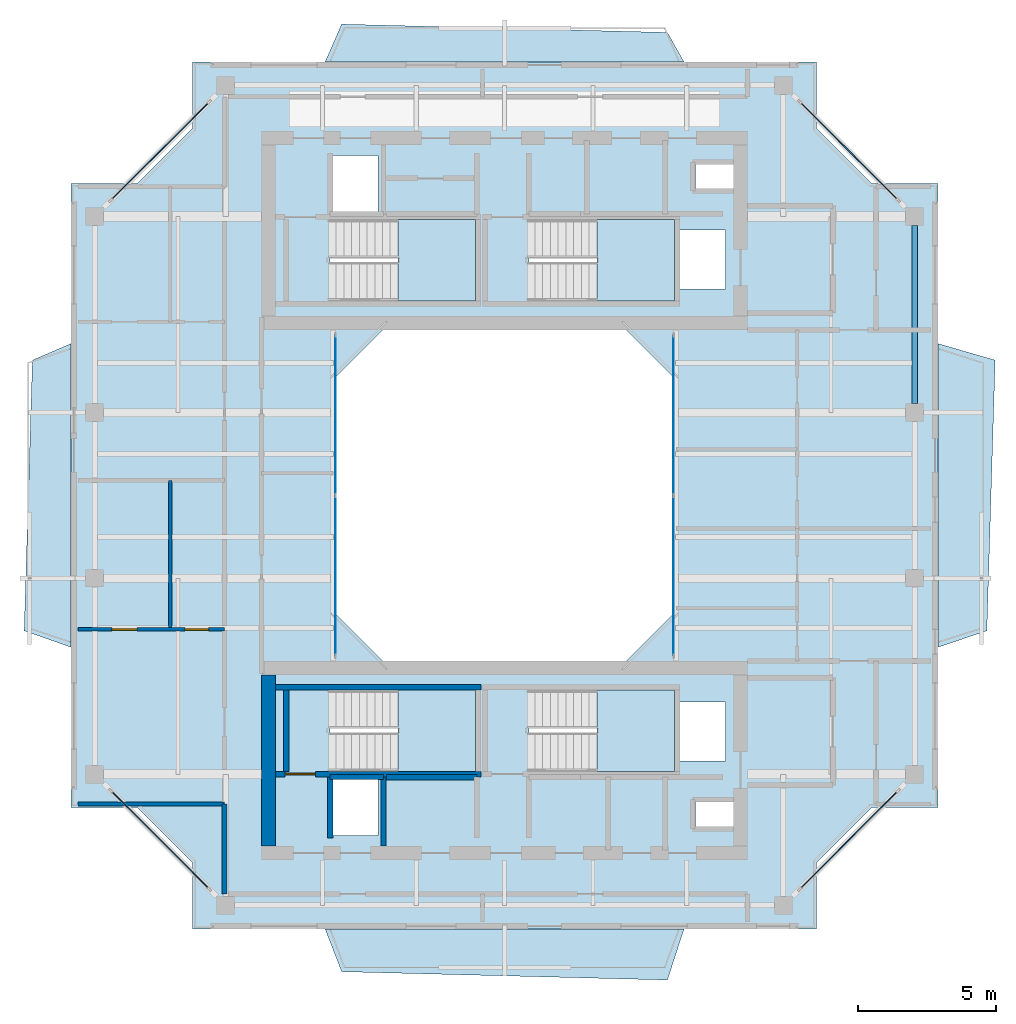
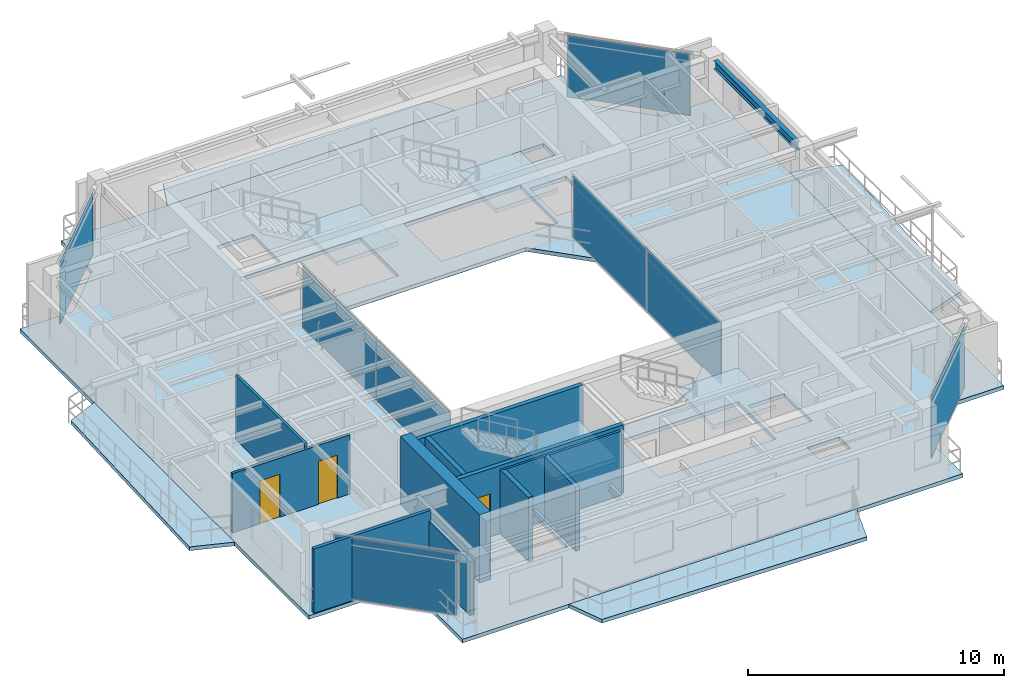
# One storey, part 8 of 15: 12 walls, 9 slabs, 8 plates, 3 doors, 1 beam, 3 openings, 10 elements without a shape of their own.
"""IFC4 building model written with IfcOpenShell, lengths in metres."""

from ifc_helpers import new_model, si_unit, direction, frame, frame_2d, origin, origin_2d, place, context, subcontext, project, spatial, polyline, rectangle, i_section, outline, extrude, source, transform, mapped, material, layer, layer_set, material_profile, profile_set, type_object, element, fill, aggregate, save


model = new_model("IFC4")

# Units and contexts
model_context = context("Model", 3, precision=1e-05, world=origin(), true_north=direction((0.0, 1.0)))
body_context = subcontext(model_context, "Body", "Model", "MODEL_VIEW")
ifc_project = project(units=[si_unit("LENGTHUNIT", "METRE"), si_unit("AREAUNIT", "SQUARE_METRE"), si_unit("VOLUMEUNIT", "CUBIC_METRE"), si_unit("PLANEANGLEUNIT", "RADIAN"), si_unit("MASSUNIT", "GRAM", prefix="KILO"), si_unit("THERMODYNAMICTEMPERATUREUNIT", "KELVIN"), si_unit("POWERUNIT", "WATT")], contexts=[model_context])

# Site, building, storey
site_placement = place(None, origin())
site = spatial("IfcSite", under=ifc_project, at=site_placement, CompositionType="ELEMENT")
building_placement = place(site_placement, origin())
building = spatial("IfcBuilding", under=site, at=building_placement, Name="Qiaomeng Ring Towers", CompositionType="ELEMENT")
storey_placement = place(building_placement, frame((0.0, 0.0, 250.25)))
storey = spatial("IfcBuildingStorey", under=building, at=storey_placement, Name="L73", CompositionType="ELEMENT", Elevation=250.25)

# Beam
ifc_material_1 = material(Name="Steel Q355B", Category="steel")
ifc_material_profile = material_profile(ifc_material_1, i_section(OverallWidth=0.198974609375, OverallDepth=0.39599609375, WebThickness=0.007080078125, FlangeThickness=0.010986328125, FilletRadius=0.01611328125, at=origin_2d()), Name="HN 396x199x7x11")
ifc_profile_set = profile_set([ifc_material_profile], Name="Steel Q355B")
beam_type = type_object("IfcBeamType", Name="STR-BM-HN396", PredefinedType="SPANDREL", material=ifc_profile_set)
shared_shape_1 = source(origin(), body_context, "Body", "SweptSolid", [
    extrude(i_section(OverallWidth=0.198974609375, OverallDepth=0.39599609375, WebThickness=0.007080078125, FlangeThickness=0.010986328125, FilletRadius=0.01611328125, at=origin_2d()), origin(), (0.0, 0.0, 1.0), 6.451904296875),
])
beam_placement = place(storey_placement, frame((33.85009765625, 26.323974609375, 2.8720703125), z_axis=(0.0, 1.0, 0.0), x_axis=(-1.0, 0.0, 0.0)))
element("IfcBeam", 1, at=beam_placement, inside=storey, type_object=beam_type, Name="L73 beam STR-SP-L73-T1-E3-E4", PredefinedType="SPANDREL", context=body_context, shape_type="MappedRepresentation", body=[
    mapped(shared_shape_1, transform((0.0, 0.0, 0.0), x_axis=(1.0, 0.0, 0.0), y_axis=(0.0, 1.0, 0.0), z_axis=(0.0, 0.0, 1.0), scale=1.0)),
])

# Slabs
ifc_material_2 = material(Name="Concrete C40", Category="concrete")
ifc_layer_1 = layer(ifc_material_2, 0.179931640625, Name="Concrete C40")
ifc_layer_set_1 = layer_set([ifc_layer_1], Name="Concrete C40")
slab_type_1 = type_object("IfcSlabType", Name="STR-SL-180", PredefinedType="FLOOR", material=ifc_layer_set_1)
slab_1_placement = place(storey_placement, frame((0.0, 0.0, -0.179931640625)))
element("IfcSlab", 2, at=slab_1_placement, inside=storey, type_object=slab_type_1, Name="L73 Tower 1 Annular Floor Slab", PredefinedType="FLOOR", context=body_context, shape_type="SweptSolid", body=[
    extrude(outline(polyline([(7.699951171875, 7.300048828125), (30.300048828125, 7.300048828125), (30.300048828125, 9.699951171875), (32.300048828125, 11.699951171875), (34.699951171875, 11.699951171875), (34.699951171875, 34.300048828125), (32.300048828125, 34.300048828125), (30.300048828125, 36.300048828125), (30.300048828125, 38.699951171875), (7.699951171875, 38.699951171875), (7.699951171875, 36.300048828125), (5.699951171875, 34.300048828125), (3.300048828125, 34.300048828125), (3.300048828125, 11.699951171875), (5.699951171875, 11.699951171875), (7.699951171875, 9.699951171875), (7.699951171875, 7.300048828125)]), holes=[polyline([(12.780029296875, 10.679931640625), (12.780029296875, 12.820068359375), (14.419921875, 12.820068359375), (14.419921875, 10.679931640625), (12.780029296875, 10.679931640625)]), polyline([(12.679931640625, 13.010009765625), (12.679931640625, 15.949951171875), (17.949951171875, 15.949951171875), (17.949951171875, 13.010009765625), (12.679931640625, 13.010009765625)]), polyline([(23.199951171875, 29.199951171875), (25.199951171875, 27.199951171875), (25.199951171875, 18.800048828125), (23.199951171875, 16.800048828125), (14.800048828125, 16.800048828125), (12.800048828125, 18.800048828125), (12.800048828125, 27.199951171875), (14.800048828125, 29.199951171875), (23.199951171875, 29.199951171875)]), polyline([(12.679931640625, 32.989990234375), (17.949951171875, 32.989990234375), (17.949951171875, 30.050048828125), (12.679931640625, 30.050048828125), (12.679931640625, 32.989990234375)]), polyline([(19.8798828125, 32.989990234375), (25.14990234375, 32.989990234375), (25.14990234375, 30.050048828125), (19.8798828125, 30.050048828125), (19.8798828125, 32.989990234375)]), polyline([(12.780029296875, 33.179931640625), (12.780029296875, 35.320068359375), (14.419921875, 35.320068359375), (14.419921875, 33.179931640625), (12.780029296875, 33.179931640625)]), polyline([(25.919921875, 11.89990234375), (27.360107421875, 11.89990234375), (27.360107421875, 11.0), (25.919921875, 11.0), (25.919921875, 11.89990234375)]), polyline([(25.360107421875, 15.52001953125), (27.0, 15.52001953125), (27.0, 13.3798828125), (25.360107421875, 13.3798828125), (25.360107421875, 15.52001953125)]), polyline([(19.8798828125, 13.010009765625), (19.8798828125, 15.949951171875), (25.14990234375, 15.949951171875), (25.14990234375, 13.010009765625), (19.8798828125, 13.010009765625)]), polyline([(25.360107421875, 32.6201171875), (27.0, 32.6201171875), (27.0, 30.47998046875), (25.360107421875, 30.47998046875), (25.360107421875, 32.6201171875)]), polyline([(25.919921875, 35.0), (27.360107421875, 35.0), (27.360107421875, 34.10009765625), (25.919921875, 34.10009765625), (25.919921875, 35.0)])]), origin(), (0.0, 0.0, 1.0), 0.179931640625),
])
ifc_layer_2 = layer(ifc_material_2, 0.179931640625, Name="Concrete C40")
ifc_layer_set_2 = layer_set([ifc_layer_2], Name="Concrete C40")
slab_type_2 = type_object("IfcSlabType", Name="STR-SL-BAL", PredefinedType="FLOOR", material=ifc_layer_set_2)
slab_2_placement = place(storey_placement, frame((0.0, 0.0, -0.179931640625)))
element("IfcSlab", 3, at=slab_2_placement, inside=storey, type_object=slab_type_2, Name="L73 Tower 1 S Faceted Balcony Slab", PredefinedType="FLOOR", context=body_context, shape_type="SweptSolid", body=[
    extrude(outline(polyline([(24.89990234375, 5.449951171875), (13.10009765625, 5.75), (12.5, 7.300048828125), (25.5, 7.300048828125), (24.89990234375, 5.449951171875)])), origin(), (0.0, 0.0, 1.0), 0.179931640625),
])
slab_3_placement = place(storey_placement, frame((0.0, 0.0, -0.179931640625)))
element("IfcSlab", 4, at=slab_3_placement, inside=storey, type_object=slab_type_2, Name="L73 Tower 1 E Faceted Balcony Slab", PredefinedType="FLOOR", context=body_context, shape_type="SweptSolid", body=[
    extrude(outline(polyline([(36.77001953125, 27.89990234375), (36.469970703125, 18.10009765625), (34.699951171875, 17.5), (34.699951171875, 28.5), (36.77001953125, 27.89990234375)])), origin(), (0.0, 0.0, 1.0), 0.179931640625),
])
slab_4_placement = place(storey_placement, frame((0.0, 0.0, -0.179931640625)))
element("IfcSlab", 5, at=slab_4_placement, inside=storey, type_object=slab_type_2, Name="L73 Tower 1 N Faceted Balcony Slab", PredefinedType="FLOOR", context=body_context, shape_type="SweptSolid", body=[
    extrude(outline(polyline([(12.5, 38.699951171875), (13.10009765625, 40.070068359375), (24.89990234375, 39.77001953125), (25.5, 38.699951171875), (12.5, 38.699951171875)])), origin(), (0.0, 0.0, 1.0), 0.179931640625),
])
slab_5_placement = place(storey_placement, frame((0.0, 0.0, -0.179931640625)))
element("IfcSlab", 6, at=slab_5_placement, inside=storey, type_object=slab_type_2, Name="L73 Tower 1 W Faceted Balcony Slab", PredefinedType="FLOOR", context=body_context, shape_type="SweptSolid", body=[
    extrude(outline(polyline([(1.60009765625, 18.10009765625), (1.89990234375, 27.89990234375), (3.300048828125, 28.5), (3.300048828125, 17.5), (1.60009765625, 18.10009765625)])), origin(), (0.0, 0.0, 1.0), 0.179931640625),
])

# Stair, slab
ifc_material_3 = material(Name="Precast concrete C40", Category="concrete")
stair_type = type_object("IfcStairType", Name="ARC-ST-325", PredefinedType="HALF_TURN_STAIR", material=ifc_material_3)
stair_1_placement = place(storey_placement, origin())
stair_1 = element("IfcStair", 7, at=stair_1_placement, inside=storey, type_object=stair_type, Name="L73 Tower 1 North Stair 1", PredefinedType="HALF_TURN_STAIR")
ifc_layer_3 = layer(ifc_material_2, 0.199951171875, Name="Concrete C40")
ifc_layer_set_3 = layer_set([ifc_layer_3], Name="Concrete C40")
slab_type_3 = type_object("IfcSlabType", Name="STR-SL-LANDING", PredefinedType="LANDING", material=ifc_layer_set_3)
slab_6_placement = place(storey_placement, frame((0.0, 0.0, 1.425048828125)))
slab_6 = element("IfcSlab", 8, at=slab_6_placement, type_object=slab_type_3, Name="ST1 landing 1", PredefinedType="LANDING", context=body_context, shape_type="SweptSolid", body=[
    extrude(outline(polyline([(15.139892578125, 30.050048828125), (17.949951171875, 30.050048828125), (17.949951171875, 32.989990234375), (15.139892578125, 32.989990234375), (15.139892578125, 30.050048828125)])), origin(), (0.0, 0.0, 1.0), 0.199951171875),
])
aggregate(stair_1, [slab_6])

stair_2_placement = place(storey_placement, origin())
stair_2 = element("IfcStair", 9, at=stair_2_placement, inside=storey, type_object=stair_type, Name="L73 Tower 1 North Stair 2", PredefinedType="HALF_TURN_STAIR")
slab_7_placement = place(storey_placement, frame((0.0, 0.0, 1.425048828125)))
slab_7 = element("IfcSlab", 10, at=slab_7_placement, type_object=slab_type_3, Name="ST2 landing 1", PredefinedType="LANDING", context=body_context, shape_type="SweptSolid", body=[
    extrude(outline(polyline([(22.340087890625, 30.050048828125), (25.14990234375, 30.050048828125), (25.14990234375, 32.989990234375), (22.340087890625, 32.989990234375), (22.340087890625, 30.050048828125)])), origin(), (0.0, 0.0, 1.0), 0.199951171875),
])
aggregate(stair_2, [slab_7])

stair_3_placement = place(storey_placement, origin())
stair_3 = element("IfcStair", 11, at=stair_3_placement, inside=storey, type_object=stair_type, Name="L73 Tower 1 South Stair 3", PredefinedType="HALF_TURN_STAIR")
slab_8_placement = place(storey_placement, frame((0.0, 0.0, 1.425048828125)))
slab_8 = element("IfcSlab", 12, at=slab_8_placement, type_object=slab_type_3, Name="ST3 landing 1", PredefinedType="LANDING", context=body_context, shape_type="SweptSolid", body=[
    extrude(outline(polyline([(15.139892578125, 13.010009765625), (17.949951171875, 13.010009765625), (17.949951171875, 15.949951171875), (15.139892578125, 15.949951171875), (15.139892578125, 13.010009765625)])), origin(), (0.0, 0.0, 1.0), 0.199951171875),
])
aggregate(stair_3, [slab_8])

stair_4_placement = place(storey_placement, origin())
stair_4 = element("IfcStair", 13, at=stair_4_placement, inside=storey, type_object=stair_type, Name="L73 Tower 1 South Stair 4", PredefinedType="HALF_TURN_STAIR")
slab_9_placement = place(storey_placement, frame((0.0, 0.0, 1.425048828125)))
slab_9 = element("IfcSlab", 14, at=slab_9_placement, type_object=slab_type_3, Name="ST4 landing 1", PredefinedType="LANDING", context=body_context, shape_type="SweptSolid", body=[
    extrude(outline(polyline([(22.340087890625, 13.010009765625), (25.14990234375, 13.010009765625), (25.14990234375, 15.949951171875), (22.340087890625, 15.949951171875), (22.340087890625, 13.010009765625)])), origin(), (0.0, 0.0, 1.0), 0.199951171875),
])
aggregate(stair_4, [slab_9])

# Curtain wall, plates
ifc_material_4 = material(Name="Fluorocarbon dark-grey aluminium", Category="aluminium")
ifc_layer_4 = layer(ifc_material_4, 0.139892578125, Name="Fluorocarbon dark-grey aluminium")
ifc_layer_set_4 = layer_set([ifc_layer_4], Name="Fluorocarbon dark-grey aluminium")
curtain_wall_type_1 = type_object("IfcCurtainWallType", Name="ARC-CW-4", PredefinedType="NOTDEFINED", material=ifc_layer_set_4)
curtain_wall_1_placement = place(storey_placement, origin())
curtain_wall_1 = element("IfcCurtainWall", 15, at=curtain_wall_1_placement, inside=storey, type_object=curtain_wall_type_1, Name="L73 Curtain Wall CW4", PredefinedType="NOTDEFINED")
ifc_material_5 = material(Name="Low-E dark-grey laminated double glazing", Category="glass")
ifc_layer_5 = layer(ifc_material_5, 0.028076171875, Name="Low-E dark-grey laminated double glazing")
ifc_layer_set_5 = layer_set([ifc_layer_5], Name="Low-E dark-grey laminated double glazing")
plate_type = type_object("IfcPlateType", Name="ARC-CWP-DARK", PredefinedType="CURTAIN_PANEL", material=ifc_layer_set_5)
shared_shape_2 = source(origin(), body_context, "Body", "SweptSolid", [
    extrude(rectangle(XDim=5.75244140625, YDim=0.028076171875, at=origin_2d()), origin(), (0.0, 0.0, 1.0), 2.93994140625),
])
plate_1_placement = place(storey_placement, frame((12.8798828125, 20.09130859375, 0.06494140625), z_axis=(0.0, 0.0, 1.0), x_axis=(0.0, 1.0, 0.0)))
plate_1 = element("IfcPlate", 16, at=plate_1_placement, type_object=plate_type, Name="CW4 panel 1.1", PredefinedType="CURTAIN_PANEL", context=body_context, shape_type="MappedRepresentation", body=[
    mapped(shared_shape_2, transform((0.0, 0.0, 0.0), x_axis=(1.0, 0.0, 0.0), y_axis=(0.0, 1.0, 0.0), z_axis=(0.0, 0.0, 1.0), scale=1.0)),
])
plate_2_placement = place(storey_placement, frame((12.8798828125, 25.90869140625, 0.06494140625), z_axis=(0.0, 0.0, 1.0), x_axis=(0.0, 1.0, 0.0)))
plate_2 = element("IfcPlate", 17, at=plate_2_placement, type_object=plate_type, Name="CW4 panel 2.1", PredefinedType="CURTAIN_PANEL", context=body_context, shape_type="MappedRepresentation", body=[
    mapped(shared_shape_2, transform((0.0, 0.0, 0.0), x_axis=(1.0, 0.0, 0.0), y_axis=(0.0, 1.0, 0.0), z_axis=(0.0, 0.0, 1.0), scale=1.0)),
])
aggregate(curtain_wall_1, [plate_1, plate_2])

curtain_wall_2_placement = place(storey_placement, origin())
curtain_wall_2 = element("IfcCurtainWall", 18, at=curtain_wall_2_placement, inside=storey, type_object=curtain_wall_type_1, Name="L73 Curtain Wall CW4", PredefinedType="NOTDEFINED")
plate_3_placement = place(storey_placement, frame((25.1201171875, 20.09130859375, 0.06494140625), z_axis=(0.0, 0.0, 1.0), x_axis=(0.0, 1.0, 0.0)))
plate_3 = element("IfcPlate", 19, at=plate_3_placement, type_object=plate_type, Name="CW4 panel 1.1", PredefinedType="CURTAIN_PANEL", context=body_context, shape_type="MappedRepresentation", body=[
    mapped(shared_shape_2, transform((0.0, 0.0, 0.0), x_axis=(1.0, 0.0, 0.0), y_axis=(0.0, 1.0, 0.0), z_axis=(0.0, 0.0, 1.0), scale=1.0)),
])
plate_4_placement = place(storey_placement, frame((25.1201171875, 25.90869140625, 0.06494140625), z_axis=(0.0, 0.0, 1.0), x_axis=(0.0, 1.0, 0.0)))
plate_4 = element("IfcPlate", 20, at=plate_4_placement, type_object=plate_type, Name="CW4 panel 2.1", PredefinedType="CURTAIN_PANEL", context=body_context, shape_type="MappedRepresentation", body=[
    mapped(shared_shape_2, transform((0.0, 0.0, 0.0), x_axis=(1.0, 0.0, 0.0), y_axis=(0.0, 1.0, 0.0), z_axis=(0.0, 0.0, 1.0), scale=1.0)),
])
aggregate(curtain_wall_2, [plate_3, plate_4])

# Curtain wall, plate
ifc_layer_6 = layer(ifc_material_4, 0.14990234375, Name="Fluorocarbon dark-grey aluminium")
ifc_layer_set_6 = layer_set([ifc_layer_6], Name="Fluorocarbon dark-grey aluminium")
curtain_wall_type_2 = type_object("IfcCurtainWallType", Name="ARC-CW-3", PredefinedType="NOTDEFINED", material=ifc_layer_set_6)
curtain_wall_3_placement = place(storey_placement, origin())
curtain_wall_3 = element("IfcCurtainWall", 21, at=curtain_wall_3_placement, inside=storey, type_object=curtain_wall_type_2, Name="L73 Curtain Wall CW3", PredefinedType="NOTDEFINED")
shared_shape_3 = source(origin(), body_context, "Body", "SweptSolid", [
    extrude(rectangle(XDim=4.9794921875, YDim=0.028076171875, at=origin_2d()), origin(), (0.0, 0.0, 1.0), 2.93994140625),
])
plate_5_placement = place(storey_placement, frame((31.47509765625, 10.52490234375, 0.06494140625), z_axis=(0.0, 0.0, 1.0), x_axis=(0.707106781187, 0.707106781187, 0.0)))
plate_5 = element("IfcPlate", 22, at=plate_5_placement, type_object=plate_type, Name="CW3 panel 1.1", PredefinedType="CURTAIN_PANEL", context=body_context, shape_type="MappedRepresentation", body=[
    mapped(shared_shape_3, transform((0.0, 0.0, 0.0), x_axis=(1.0, 0.0, 0.0), y_axis=(0.0, 1.0, 0.0), z_axis=(0.0, 0.0, 1.0), scale=1.0)),
])
aggregate(curtain_wall_3, [plate_5])

curtain_wall_4_placement = place(storey_placement, origin())
curtain_wall_4 = element("IfcCurtainWall", 23, at=curtain_wall_4_placement, inside=storey, type_object=curtain_wall_type_2, Name="L73 Curtain Wall CW3", PredefinedType="NOTDEFINED")
plate_6_placement = place(storey_placement, frame((31.47509765625, 35.47509765625, 0.06494140625), z_axis=(0.0, 0.0, 1.0), x_axis=(-0.707106781187, 0.707106781187, 0.0)))
plate_6 = element("IfcPlate", 24, at=plate_6_placement, type_object=plate_type, Name="CW3 panel 1.1", PredefinedType="CURTAIN_PANEL", context=body_context, shape_type="MappedRepresentation", body=[
    mapped(shared_shape_3, transform((0.0, 0.0, 0.0), x_axis=(1.0, 0.0, 0.0), y_axis=(0.0, 1.0, 0.0), z_axis=(0.0, 0.0, 1.0), scale=1.0)),
])
aggregate(curtain_wall_4, [plate_6])

curtain_wall_5_placement = place(storey_placement, origin())
curtain_wall_5 = element("IfcCurtainWall", 25, at=curtain_wall_5_placement, inside=storey, type_object=curtain_wall_type_2, Name="L73 Curtain Wall CW3", PredefinedType="NOTDEFINED")
plate_7_placement = place(storey_placement, frame((6.52490234375, 35.47509765625, 0.06494140625), z_axis=(0.0, 0.0, 1.0), x_axis=(-0.707106781187, -0.707106781187, 0.0)))
plate_7 = element("IfcPlate", 26, at=plate_7_placement, type_object=plate_type, Name="CW3 panel 1.1", PredefinedType="CURTAIN_PANEL", context=body_context, shape_type="MappedRepresentation", body=[
    mapped(shared_shape_3, transform((0.0, 0.0, 0.0), x_axis=(1.0, 0.0, 0.0), y_axis=(0.0, 1.0, 0.0), z_axis=(0.0, 0.0, 1.0), scale=1.0)),
])
aggregate(curtain_wall_5, [plate_7])

curtain_wall_6_placement = place(storey_placement, origin())
curtain_wall_6 = element("IfcCurtainWall", 27, at=curtain_wall_6_placement, inside=storey, type_object=curtain_wall_type_2, Name="L73 Curtain Wall CW3", PredefinedType="NOTDEFINED")
plate_8_placement = place(storey_placement, frame((6.52490234375, 10.52490234375, 0.06494140625), z_axis=(0.0, 0.0, 1.0), x_axis=(0.707106781187, -0.707106781187, 0.0)))
plate_8 = element("IfcPlate", 28, at=plate_8_placement, type_object=plate_type, Name="CW3 panel 1.1", PredefinedType="CURTAIN_PANEL", context=body_context, shape_type="MappedRepresentation", body=[
    mapped(shared_shape_3, transform((0.0, 0.0, 0.0), x_axis=(1.0, 0.0, 0.0), y_axis=(0.0, 1.0, 0.0), z_axis=(0.0, 0.0, 1.0), scale=1.0)),
])
aggregate(curtain_wall_6, [plate_8])

# Walls
ifc_material_6 = material(Name="Autoclaved aerated concrete block", Category="concrete")
ifc_layer_7 = layer(ifc_material_6, 0.199951171875, Name="Autoclaved aerated concrete block")
ifc_layer_set_7 = layer_set([ifc_layer_7], Name="Autoclaved aerated concrete block")
wall_type_1 = type_object("IfcWallType", Name="ARC-WL-PW1", PredefinedType="PARTITIONING", material=ifc_layer_set_7)
wall_1_placement = place(storey_placement, frame((12.679931640625, 10.60009765625, 0.0), z_axis=(0.0, 0.0, 1.0), x_axis=(0.0, 1.0, 0.0)))
element("IfcWall", 29, at=wall_1_placement, inside=storey, type_object=wall_type_1, Name="L73 Interior Wall PW1", PredefinedType="PARTITIONING", context=body_context, shape_type="SweptSolid", body=[
    extrude(rectangle(XDim=2.2099609375, YDim=0.199951171875, at=frame_2d((1.10498046875, 0.0))), origin(), (0.0, 0.0, 1.0), 3.070068359375),
])
wall_2_placement = place(storey_placement, frame((14.719970703125, 12.800048828125, 0.0), z_axis=(0.0, 0.0, 1.0), x_axis=(1.0, 0.0, 0.0)))
element("IfcWall", 30, at=wall_2_placement, inside=storey, type_object=wall_type_1, Name="L73 Interior Wall PW1", PredefinedType="PARTITIONING", context=body_context, shape_type="SweptSolid", body=[
    extrude(rectangle(XDim=3.280029296875, YDim=0.199951171875, at=frame_2d((1.64013671875, 0.0))), origin(), (0.0, 0.0, 1.0), 3.070068359375),
])
ifc_layer_8 = layer(ifc_material_6, 0.179931640625, Name="Autoclaved aerated concrete block")
ifc_layer_set_8 = layer_set([ifc_layer_8], Name="Autoclaved aerated concrete block")
wall_type_2 = type_object("IfcWallType", Name="ARC-WL-PW2", PredefinedType="PARTITIONING", material=ifc_layer_set_8)
wall_3_placement = place(storey_placement, frame((8.85009765625, 8.56005859375, 0.0), z_axis=(0.0, 0.0, 1.0), x_axis=(0.0, 1.0, 0.0)))
element("IfcWall", 31, at=wall_3_placement, inside=storey, type_object=wall_type_2, Name="L73 Interior Wall PW2", PredefinedType="PARTITIONING", context=body_context, shape_type="SweptSolid", body=[
    extrude(rectangle(XDim=3.260009765625, YDim=0.179931640625, at=frame_2d((1.6298828125, 0.0))), origin(), (0.0, 0.0, 1.0), 2.569091796875),
])
ifc_material_7 = material(Name="Gypsum fireboard steel-stud partition", Category="steel")
ifc_layer_9 = layer(ifc_material_7, 0.14990234375, Name="Gypsum fireboard steel-stud partition")
ifc_layer_set_9 = layer_set([ifc_layer_9], Name="Gypsum fireboard steel-stud partition")
wall_type_3 = type_object("IfcWallType", Name="ARC-WL-PW3", PredefinedType="PARTITIONING", material=ifc_layer_set_9)
wall_4_placement = place(storey_placement, frame((3.550048828125, 11.820068359375, 0.0), z_axis=(0.0, 0.0, 1.0), x_axis=(1.0, 0.0, 0.0)))
element("IfcWall", 32, at=wall_4_placement, inside=storey, type_object=wall_type_3, Name="L73 Interior Wall PW3", PredefinedType="PARTITIONING", context=body_context, shape_type="SweptSolid", body=[
    extrude(rectangle(XDim=5.300048828125, YDim=0.14990234375, at=frame_2d((2.64990234375, 0.0))), origin(), (0.0, 0.0, 1.0), 3.070068359375),
])

# Wall, openings, doors
ifc_material_8 = material(Name="Moisture-resistant gypsum steel-stud partition", Category="steel")
ifc_layer_10 = layer(ifc_material_8, 0.1201171875, Name="Moisture-resistant gypsum steel-stud partition")
ifc_layer_set_10 = layer_set([ifc_layer_10], Name="Moisture-resistant gypsum steel-stud partition")
wall_type_4 = type_object("IfcWallType", Name="ARC-WL-PW4", PredefinedType="PLUMBINGWALL", material=ifc_layer_set_10)
wall_5_placement = place(storey_placement, frame((3.550048828125, 18.14990234375, 0.0), z_axis=(0.0, 0.0, 1.0), x_axis=(1.0, 0.0, 0.0)))
wall_5 = element("IfcWall", 33, at=wall_5_placement, inside=storey, type_object=wall_type_4, Name="L73 Interior Wall PW4", PredefinedType="PLUMBINGWALL", context=body_context, shape_type="SweptSolid", body=[
    extrude(rectangle(XDim=5.300048828125, YDim=0.1201171875, at=frame_2d((2.64990234375, 0.0))), origin(), (0.0, 0.0, 1.0), 2.821044921875),
])
opening_1_placement = place(wall_5_placement, frame((1.22998046875, 0.0, 0.0)))
opening_1 = element("IfcOpeningElement", 34, at=opening_1_placement, cuts=wall_5, Name="Opening ID1", PredefinedType="OPENING", context=body_context, shape_type="SweptSolid", body=[
    extrude(rectangle(XDim=0.89990234375, YDim=2.050048828125, at=frame_2d((0.449951171875, 1.02490234375))), frame((0.0, 0.070068359375, 0.0), z_axis=(0.0, -1.0, 0.0), x_axis=(1.0, 0.0, 0.0)), (0.0, 0.0, 1.0), 0.14013671875),
])
opening_2_placement = place(wall_5_placement, frame((3.885009765625, 0.0, 0.0)))
opening_2 = element("IfcOpeningElement", 35, at=opening_2_placement, cuts=wall_5, Name="Opening ID2", PredefinedType="OPENING", context=body_context, shape_type="SweptSolid", body=[
    extrude(rectangle(XDim=0.85009765625, YDim=2.050048828125, at=frame_2d((0.425048828125, 1.02490234375))), frame((0.0, 0.070068359375, 0.0), z_axis=(0.0, -1.0, 0.0), x_axis=(1.0, 0.0, 0.0)), (0.0, 0.0, 1.0), 0.14013671875),
])
ifc_material_9 = material(Name="Moisture-resistant engineered timber", Category="wood")
door_type_1 = type_object("IfcDoorType", Name="ARC-DR-ID2", OperationType="NOTDEFINED", PredefinedType="DOOR", material=ifc_material_9)
shared_shape_4 = source(origin(), body_context, "Body", "SweptSolid", [
    extrude(rectangle(XDim=0.85009765625, YDim=2.050048828125, at=frame_2d((0.425048828125, 1.02490234375))), frame((0.0, 0.02490234375, 0.0), z_axis=(0.0, -1.0, 0.0), x_axis=(1.0, 0.0, 0.0)), (0.0, 0.0, 1.0), 0.050048828125),
])
door_1_placement = place(opening_2_placement, origin())
door_1 = element("IfcDoor", 36, at=door_1_placement, inside=storey, type_object=door_type_1, Name="L73 Door ID2", OperationType="SINGLE_SWING_RIGHT", OverallHeight=2.050048828125, OverallWidth=0.85009765625, PredefinedType="DOOR", context=body_context, shape_type="MappedRepresentation", body=[
    mapped(shared_shape_4, transform((0.0, 0.0, 0.0), x_axis=(1.0, 0.0, 0.0), y_axis=(0.0, 1.0, 0.0), z_axis=(0.0, 0.0, 1.0), scale=1.0)),
])
fill(opening_2, door_1)
ifc_material_10 = material(Name="Engineered oak timber", Category="wood")
door_type_2 = type_object("IfcDoorType", Name="ARC-DR-ID1", OperationType="NOTDEFINED", PredefinedType="DOOR", material=ifc_material_10)
shared_shape_5 = source(origin(), body_context, "Body", "SweptSolid", [
    extrude(rectangle(XDim=0.89990234375, YDim=2.050048828125, at=frame_2d((0.449951171875, 1.02490234375))), frame((0.0, 0.02490234375, 0.0), z_axis=(0.0, -1.0, 0.0), x_axis=(1.0, 0.0, 0.0)), (0.0, 0.0, 1.0), 0.050048828125),
])
door_2_placement = place(opening_1_placement, origin())
door_2 = element("IfcDoor", 37, at=door_2_placement, inside=storey, type_object=door_type_2, Name="L73 Door ID1", OperationType="SINGLE_SWING_LEFT", OverallHeight=2.050048828125, OverallWidth=0.89990234375, PredefinedType="DOOR", context=body_context, shape_type="MappedRepresentation", body=[
    mapped(shared_shape_5, transform((0.0, 0.0, 0.0), x_axis=(1.0, 0.0, 0.0), y_axis=(0.0, 1.0, 0.0), z_axis=(0.0, 0.0, 1.0), scale=1.0)),
])
fill(opening_1, door_2)

# Walls
wall_6_placement = place(storey_placement, frame((6.889892578125, 18.14990234375, 0.0), z_axis=(0.0, 0.0, 1.0), x_axis=(0.0, 1.0, 0.0)))
element("IfcWall", 38, at=wall_6_placement, inside=storey, type_object=wall_type_4, Name="L73 Interior Wall PW4", PredefinedType="PLUMBINGWALL", context=body_context, shape_type="SweptSolid", body=[
    extrude(rectangle(XDim=5.400146484375, YDim=0.1201171875, at=frame_2d((2.7001953125, 0.0))), origin(), (0.0, 0.0, 1.0), 3.070068359375),
])
ifc_layer_11 = layer(ifc_material_2, 0.199951171875, Name="Concrete C40")
ifc_layer_set_11 = layer_set([ifc_layer_11], Name="Concrete C40")
wall_type_5 = type_object("IfcWallType", Name="STR-WL-STSHAFT", PredefinedType="SHEAR", material=ifc_layer_set_11)
wall_7_placement = place(storey_placement, frame((12.679931640625, 12.800048828125, 0.0), z_axis=(0.0, 0.0, 1.0), x_axis=(1.0, 0.0, 0.0)))
element("IfcWall", 39, at=wall_7_placement, inside=storey, type_object=wall_type_5, Name="L73 Lift LP6 Shaft Back Wall", PredefinedType="SHEAR", context=body_context, shape_type="SweptSolid", body=[
    extrude(rectangle(XDim=1.940185546875, YDim=0.179931640625, at=frame_2d((0.97021484375, 0.0))), origin(), (0.0, 0.0, 1.0), 3.070068359375),
])
wall_8_placement = place(storey_placement, frame((14.6201171875, 10.300048828125, 0.0), z_axis=(0.0, 0.0, 1.0), x_axis=(0.0, 1.0, 0.0)))
element("IfcWall", 40, at=wall_8_placement, inside=storey, type_object=wall_type_5, Name="L73 Lift LP6-LP4 Shaft Divider Wall", PredefinedType="SHEAR", context=body_context, shape_type="SweptSolid", body=[
    extrude(rectangle(XDim=2.5, YDim=0.179931640625, at=frame_2d((1.25, 0.0))), origin(), (0.0, 0.0, 1.0), 3.070068359375),
])

# Wall, opening, door
wall_9_placement = place(storey_placement, frame((10.699951171875, 12.909912109375, 0.0), z_axis=(0.0, 0.0, 1.0), x_axis=(1.0, 0.0, 0.0)))
wall_9 = element("IfcWall", 41, at=wall_9_placement, inside=storey, type_object=wall_type_5, Name="L73 Stair ST3 South Shaft Shear Wall", PredefinedType="SHEAR", context=body_context, shape_type="SweptSolid", body=[
    extrude(rectangle(XDim=7.449951171875, YDim=0.199951171875, at=frame_2d((3.72509765625, 0.0))), origin(), (0.0, 0.0, 1.0), 3.25),
])
opening_3_placement = place(wall_9_placement, frame((0.35009765625, 0.0, 0.0)))
opening_3 = element("IfcOpeningElement", 42, at=opening_3_placement, cuts=wall_9, Name="Opening FD3", PredefinedType="OPENING", context=body_context, shape_type="SweptSolid", body=[
    extrude(rectangle(XDim=1.10009765625, YDim=2.050048828125, at=frame_2d((0.550048828125, 1.02490234375))), frame((0.0, 0.10986328125, 0.0), z_axis=(0.0, -1.0, 0.0), x_axis=(1.0, 0.0, 0.0)), (0.0, 0.0, 1.0), 0.219970703125),
])
ifc_material_11 = material(Name="Galvanised steel", Category="steel")
door_type_3 = type_object("IfcDoorType", Name="ARC-DR-FD3", OperationType="NOTDEFINED", PredefinedType="DOOR", material=ifc_material_11)
shared_shape_6 = source(origin(), body_context, "Body", "SweptSolid", [
    extrude(rectangle(XDim=1.10009765625, YDim=2.050048828125, at=frame_2d((0.550048828125, 1.02490234375))), frame((0.0, 0.02490234375, 0.0), z_axis=(0.0, -1.0, 0.0), x_axis=(1.0, 0.0, 0.0)), (0.0, 0.0, 1.0), 0.050048828125),
])
door_3_placement = place(opening_3_placement, frame((1.10009765625, 0.0, 0.0), z_axis=(0.0, 0.0, 1.0), x_axis=(-1.0, 0.0, 0.0)))
door_3 = element("IfcDoor", 43, at=door_3_placement, inside=storey, type_object=door_type_3, Name="L73 Stair ST3 Exit Door", OperationType="SINGLE_SWING_LEFT", OverallHeight=2.050048828125, OverallWidth=1.10009765625, PredefinedType="DOOR", context=body_context, shape_type="MappedRepresentation", body=[
    mapped(shared_shape_6, transform((0.0, 0.0, 0.0), x_axis=(1.0, 0.0, 0.0), y_axis=(0.0, 1.0, 0.0), z_axis=(0.0, 0.0, 1.0), scale=1.0)),
])
fill(opening_3, door_3)

# Walls
wall_10_placement = place(storey_placement, frame((10.699951171875, 16.050048828125, 0.0), z_axis=(0.0, 0.0, 1.0), x_axis=(1.0, 0.0, 0.0)))
element("IfcWall", 44, at=wall_10_placement, inside=storey, type_object=wall_type_5, Name="L73 Stair ST3 North Shaft Shear Wall", PredefinedType="SHEAR", context=body_context, shape_type="SweptSolid", body=[
    extrude(rectangle(XDim=7.449951171875, YDim=0.199951171875, at=frame_2d((3.72509765625, 0.0))), origin(), (0.0, 0.0, 1.0), 3.25),
])
wall_11_placement = place(storey_placement, frame((11.10009765625, 13.010009765625, 0.0), z_axis=(0.0, 0.0, 1.0), x_axis=(0.0, 1.0, 0.0)))
element("IfcWall", 45, at=wall_11_placement, inside=storey, type_object=wall_type_5, Name="L73 Stair ST3 West Shaft Shear Wall", PredefinedType="SHEAR", context=body_context, shape_type="SweptSolid", body=[
    extrude(rectangle(XDim=2.93994140625, YDim=0.199951171875, at=frame_2d((1.469970703125, 0.0))), origin(), (0.0, 0.0, 1.0), 3.25),
])
ifc_layer_12 = layer(ifc_material_2, 0.5, Name="Concrete C40")
ifc_layer_set_12 = layer_set([ifc_layer_12], Name="Concrete C40")
wall_type_6 = type_object("IfcWallType", Name="STR-WL-SW3", PredefinedType="SHEAR", material=ifc_layer_set_12)
wall_12_placement = place(storey_placement, frame((10.449951171875, 10.300048828125, 0.0), z_axis=(0.0, 0.0, 1.0), x_axis=(0.0, 1.0, 0.0)))
element("IfcWall", 46, at=wall_12_placement, inside=storey, type_object=wall_type_6, Name="L73 T1SC west core shear wall", PredefinedType="SHEAR", context=body_context, shape_type="SweptSolid", body=[
    extrude(rectangle(XDim=6.199951171875, YDim=0.5, at=frame_2d((3.10009765625, 0.0))), origin(), (0.0, 0.0, 1.0), 3.25),
])

save(model, "model.ifc")
